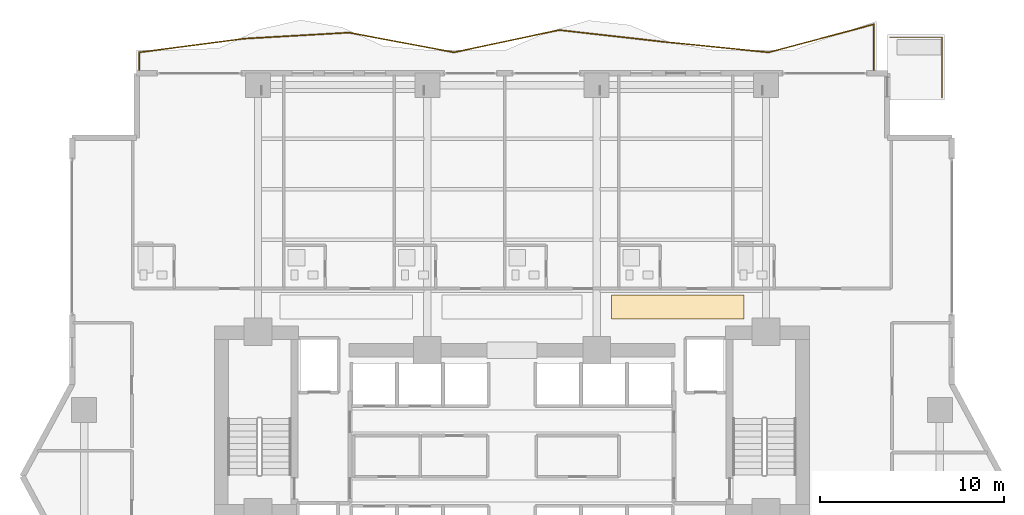
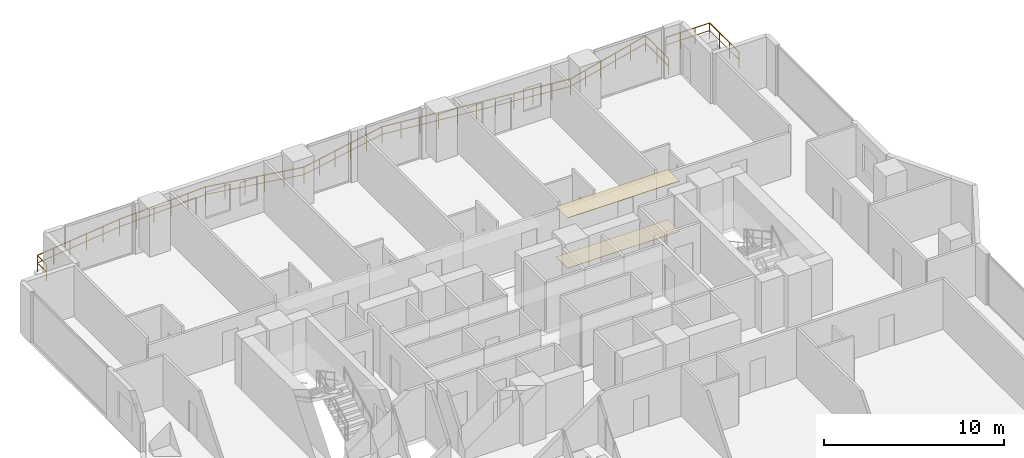
# One storey, part 28 of 29: 2 coverings, 2 railings.
"""IFC4 building model written with IfcOpenShell, lengths in metres."""

from ifc_helpers import new_model, si_unit, direction, frame, origin, origin_2d, place, context, subcontext, project, spatial, polyline, rectangle, outline, extrude, material, layer, layer_set, type_object, element, save


model = new_model("IFC4")

# Units and contexts
model_context = context("Model", 3, precision=1e-05, world=origin(), true_north=direction((0.0, 1.0)))
body_context = subcontext(model_context, "Body", "Model", "MODEL_VIEW")
ifc_project = project(units=[si_unit("LENGTHUNIT", "METRE"), si_unit("AREAUNIT", "SQUARE_METRE"), si_unit("VOLUMEUNIT", "CUBIC_METRE"), si_unit("PLANEANGLEUNIT", "RADIAN"), si_unit("MASSUNIT", "GRAM", prefix="KILO")], contexts=[model_context])

# Site, building, storey
site_placement = place(None, origin())
site = spatial("IfcSite", under=ifc_project, at=site_placement, CompositionType="ELEMENT")
building_placement = place(site_placement, origin())
building = spatial("IfcBuilding", under=site, at=building_placement, Name="Zuhayl Quay Hotel", CompositionType="ELEMENT")
storey_placement = place(building_placement, frame((0.0, 0.0, 95.64990234375)))
storey = spatial("IfcBuildingStorey", under=building, at=storey_placement, Name="L23", CompositionType="ELEMENT", Elevation=95.64990234375)

# Coverings
ifc_material_1 = material(Name="Acoustic Mineral-Fibre Gypsum Board")
ifc_layer_1 = layer(ifc_material_1, 0.02490234375, Name="Acoustic Mineral-Fibre Gypsum Board")
ifc_layer_set_1 = layer_set([ifc_layer_1], Name="Acoustic Mineral-Fibre Gypsum Board")
covering_type_1 = type_object("IfcCoveringType", Name="CV_CEIL_ACOUSTIC", PredefinedType="CEILING", material=ifc_layer_set_1)
covering_1_placement = place(storey_placement, frame((0.0, 0.0, 3.405029296875)))
element("IfcCovering", 1, at=covering_1_placement, inside=storey, type_object=covering_type_1, Name="L23 Guest Corridor Acoustic Ceiling CE", PredefinedType="CEILING", context=body_context, shape_type="SweptSolid", body=[
    extrude(outline(polyline([(5.39990234375, 15.050048828125), (12.60009765625, 15.050048828125), (12.60009765625, 16.35009765625), (5.39990234375, 16.35009765625), (5.39990234375, 15.050048828125)])), origin(), (0.0, 0.0, 1.0), 0.025146484375),
])
ifc_material_2 = material(Name="Polished Limestone Terrazzo", Category="masonry")
ifc_layer_2 = layer(ifc_material_2, 0.02001953125, Name="Polished Limestone Terrazzo", Category="masonry")
ifc_layer_set_2 = layer_set([ifc_layer_2], Name="Polished Limestone Terrazzo")
covering_type_2 = type_object("IfcCoveringType", Name="CV_FLOOR_TERRAZZO", PredefinedType="FLOORING", material=ifc_layer_set_2)
covering_2_placement = place(storey_placement, origin())
element("IfcCovering", 2, at=covering_2_placement, inside=storey, type_object=covering_type_2, Name="L23 Guest Corridor Terrazzo Runner CE", PredefinedType="FLOORING", context=body_context, shape_type="SweptSolid", body=[
    extrude(outline(polyline([(5.39990234375, 15.050048828125), (12.60009765625, 15.050048828125), (12.60009765625, 16.35009765625), (5.39990234375, 16.35009765625), (5.39990234375, 15.050048828125)])), origin(), (0.0, 0.0, 1.0), 0.02001953125),
])

# Railings
ifc_material_3 = material(Name="Anodised Aluminium and Laminated Glass", Category="aluminium")
railing_type = type_object("IfcRailingType", Name="RL_EXT_BAL_1100", PredefinedType="BALUSTRADE", material=ifc_material_3)
railing_1_placement = place(storey_placement, frame((-20.260009765625, 28.52001953125, 0.0)))
element("IfcRailing", 3, at=railing_1_placement, inside=storey, type_object=railing_type, Name="L23 Balcony and Terrace Guard GR_L23_BAL_N", PredefinedType="BALUSTRADE", context=body_context, shape_type="SweptSolid", body=[
    extrude(rectangle(XDim=0.048095703125, YDim=0.048095703125, at=origin_2d()), frame((0.0, 0.0, 1.09619140625), z_axis=(0.0, 1.0, 0.0), x_axis=(-1.0, 0.0, 0.0)), (0.0, 0.0, 1.0), 1.02001953125),
    extrude(rectangle(XDim=0.0361328125, YDim=0.0361328125, at=origin_2d()), frame((0.0, 0.0, 0.58251953125), z_axis=(0.0, 1.0, 0.0), x_axis=(-1.0, 0.0, 0.0)), (0.0, 0.0, 1.0), 1.02001953125),
    extrude(rectangle(XDim=0.048095703125, YDim=0.048095703125, at=origin_2d()), frame((0.0, 1.02001953125, 1.09619140625), z_axis=(0.991572219668, 0.129555135683, 0.0), x_axis=(-0.129555135683, 0.991572219668, 0.0)), (0.0, 0.0, 1.0), 5.75146484375),
    extrude(rectangle(XDim=0.0361328125, YDim=0.0361328125, at=origin_2d()), frame((0.0, 1.02001953125, 0.58251953125), z_axis=(0.991572219668, 0.129555135683, 0.0), x_axis=(-0.129555135683, 0.991572219668, 0.0)), (0.0, 0.0, 1.0), 5.75146484375),
    extrude(rectangle(XDim=0.048095703125, YDim=0.048095703125, at=origin_2d()), frame((5.702880859375, 1.76513671875, 1.09619140625), z_axis=(0.998351311996, 0.057399110065, 0.0), x_axis=(-0.057399110065, 0.998351311996, 0.0)), (0.0, 0.0, 1.0), 5.71240234375),
    extrude(rectangle(XDim=0.0361328125, YDim=0.0361328125, at=origin_2d()), frame((5.702880859375, 1.76513671875, 0.58251953125), z_axis=(0.998351311996, 0.057399110065, 0.0), x_axis=(-0.057399110065, 0.998351311996, 0.0)), (0.0, 0.0, 1.0), 5.71240234375),
    extrude(rectangle(XDim=0.048095703125, YDim=0.048095703125, at=origin_2d()), frame((11.40576171875, 2.093017578125, 1.09619140625), z_axis=(0.982756255839, -0.184905764134, 0.0), x_axis=(0.184905764134, 0.982756255839, 0.0)), (0.0, 0.0, 1.0), 5.802978515625),
    extrude(rectangle(XDim=0.0361328125, YDim=0.0361328125, at=origin_2d()), frame((11.40576171875, 2.093017578125, 0.58251953125), z_axis=(0.982756255839, -0.184905764134, 0.0), x_axis=(0.184905764134, 0.982756255839, 0.0)), (0.0, 0.0, 1.0), 5.802978515625),
    extrude(rectangle(XDim=0.048095703125, YDim=0.048095703125, at=origin_2d()), frame((17.108642578125, 1.02001953125, 1.09619140625), z_axis=(0.978122972514, 0.208027523757, 0.0), x_axis=(-0.208027523757, 0.978122972514, 0.0)), (0.0, 0.0, 1.0), 5.830322265625),
    extrude(rectangle(XDim=0.0361328125, YDim=0.0361328125, at=origin_2d()), frame((17.108642578125, 1.02001953125, 0.58251953125), z_axis=(0.978122972514, 0.208027523757, 0.0), x_axis=(-0.208027523757, 0.978122972514, 0.0)), (0.0, 0.0, 1.0), 5.830322265625),
    extrude(rectangle(XDim=0.048095703125, YDim=0.048095703125, at=origin_2d()), frame((22.8115234375, 2.23291015625, 1.09619140625), z_axis=(0.993735509913, -0.111757488957, 0.0), x_axis=(0.111757488957, 0.993735509913, 0.0)), (0.0, 0.0, 1.0), 5.73876953125),
    extrude(rectangle(XDim=0.0361328125, YDim=0.0361328125, at=origin_2d()), frame((22.8115234375, 2.23291015625, 0.58251953125), z_axis=(0.993735509913, -0.111757488957, 0.0), x_axis=(0.111757488957, 0.993735509913, 0.0)), (0.0, 0.0, 1.0), 5.73876953125),
    extrude(rectangle(XDim=0.048095703125, YDim=0.048095703125, at=origin_2d()), frame((28.514404296875, 1.591552734375, 1.09619140625), z_axis=(0.99501523415, -0.099723035497, 0.0), x_axis=(0.099723035497, 0.99501523415, 0.0)), (0.0, 0.0, 1.0), 5.731201171875),
    extrude(rectangle(XDim=0.0361328125, YDim=0.0361328125, at=origin_2d()), frame((28.514404296875, 1.591552734375, 0.58251953125), z_axis=(0.99501523415, -0.099723035497, 0.0), x_axis=(0.099723035497, 0.99501523415, 0.0)), (0.0, 0.0, 1.0), 5.731201171875),
    extrude(rectangle(XDim=0.048095703125, YDim=0.048095703125, at=origin_2d()), frame((34.217041015625, 1.02001953125, 1.09619140625), z_axis=(0.966111953128, 0.258123408514, 0.0), x_axis=(-0.258123408514, 0.966111953128, 0.0)), (0.0, 0.0, 1.0), 5.90283203125),
    extrude(rectangle(XDim=0.0361328125, YDim=0.0361328125, at=origin_2d()), frame((34.217041015625, 1.02001953125, 0.58251953125), z_axis=(0.966111953128, 0.258123408514, 0.0), x_axis=(-0.258123408514, 0.966111953128, 0.0)), (0.0, 0.0, 1.0), 5.90283203125),
    extrude(rectangle(XDim=0.048095703125, YDim=0.048095703125, at=origin_2d()), frame((39.919921875, 2.543701171875, 1.09619140625), z_axis=(0.0, -1.0, 0.0), x_axis=(1.0, 0.0, 0.0)), (0.0, 0.0, 1.0), 2.543701171875),
    extrude(rectangle(XDim=0.0361328125, YDim=0.0361328125, at=origin_2d()), frame((39.919921875, 2.543701171875, 0.58251953125), z_axis=(0.0, -1.0, 0.0), x_axis=(1.0, 0.0, 0.0)), (0.0, 0.0, 1.0), 2.543701171875),
    extrude(rectangle(XDim=0.0419921875, YDim=0.0419921875, at=origin_2d()), origin(), (0.0, 0.0, 1.0), 1.072021484375),
    extrude(rectangle(XDim=0.0419921875, YDim=0.0419921875, at=origin_2d()), frame((0.0, 1.02001953125, 0.0)), (0.0, 0.0, 1.0), 1.072021484375),
    extrude(rectangle(XDim=0.0419921875, YDim=0.0419921875, at=origin_2d()), frame((1.140625, 1.1689453125, 0.0)), (0.0, 0.0, 1.0), 1.072021484375),
    extrude(rectangle(XDim=0.0419921875, YDim=0.0419921875, at=origin_2d()), frame((2.28125, 1.318115234375, 0.0)), (0.0, 0.0, 1.0), 1.072021484375),
    extrude(rectangle(XDim=0.0419921875, YDim=0.0419921875, at=origin_2d()), frame((3.421630859375, 1.467041015625, 0.0)), (0.0, 0.0, 1.0), 1.072021484375),
    extrude(rectangle(XDim=0.0419921875, YDim=0.0419921875, at=origin_2d()), frame((4.562255859375, 1.6162109375, 0.0)), (0.0, 0.0, 1.0), 1.072021484375),
    extrude(rectangle(XDim=0.0419921875, YDim=0.0419921875, at=origin_2d()), frame((5.702880859375, 1.76513671875, 0.0)), (0.0, 0.0, 1.0), 1.072021484375),
    extrude(rectangle(XDim=0.0419921875, YDim=0.0419921875, at=origin_2d()), frame((6.843505859375, 1.830810546875, 0.0)), (0.0, 0.0, 1.0), 1.072021484375),
    extrude(rectangle(XDim=0.0419921875, YDim=0.0419921875, at=origin_2d()), frame((7.984130859375, 1.896240234375, 0.0)), (0.0, 0.0, 1.0), 1.072021484375),
    extrude(rectangle(XDim=0.0419921875, YDim=0.0419921875, at=origin_2d()), frame((9.12451171875, 1.9619140625, 0.0)), (0.0, 0.0, 1.0), 1.072021484375),
    extrude(rectangle(XDim=0.0419921875, YDim=0.0419921875, at=origin_2d()), frame((10.26513671875, 2.02734375, 0.0)), (0.0, 0.0, 1.0), 1.072021484375),
    extrude(rectangle(XDim=0.0419921875, YDim=0.0419921875, at=origin_2d()), frame((11.40576171875, 2.093017578125, 0.0)), (0.0, 0.0, 1.0), 1.072021484375),
    extrude(rectangle(XDim=0.0419921875, YDim=0.0419921875, at=origin_2d()), frame((12.54638671875, 1.87841796875, 0.0)), (0.0, 0.0, 1.0), 1.072021484375),
    extrude(rectangle(XDim=0.0419921875, YDim=0.0419921875, at=origin_2d()), frame((13.68701171875, 1.663818359375, 0.0)), (0.0, 0.0, 1.0), 1.072021484375),
    extrude(rectangle(XDim=0.0419921875, YDim=0.0419921875, at=origin_2d()), frame((14.827392578125, 1.44921875, 0.0)), (0.0, 0.0, 1.0), 1.072021484375),
    extrude(rectangle(XDim=0.0419921875, YDim=0.0419921875, at=origin_2d()), frame((15.968017578125, 1.234619140625, 0.0)), (0.0, 0.0, 1.0), 1.072021484375),
    extrude(rectangle(XDim=0.0419921875, YDim=0.0419921875, at=origin_2d()), frame((17.108642578125, 1.02001953125, 0.0)), (0.0, 0.0, 1.0), 1.072021484375),
    extrude(rectangle(XDim=0.0419921875, YDim=0.0419921875, at=origin_2d()), frame((18.249267578125, 1.2626953125, 0.0)), (0.0, 0.0, 1.0), 1.072021484375),
    extrude(rectangle(XDim=0.0419921875, YDim=0.0419921875, at=origin_2d()), frame((19.389892578125, 1.505126953125, 0.0)), (0.0, 0.0, 1.0), 1.072021484375),
    extrude(rectangle(XDim=0.0419921875, YDim=0.0419921875, at=origin_2d()), frame((20.5302734375, 1.747802734375, 0.0)), (0.0, 0.0, 1.0), 1.072021484375),
    extrude(rectangle(XDim=0.0419921875, YDim=0.0419921875, at=origin_2d()), frame((21.6708984375, 1.990234375, 0.0)), (0.0, 0.0, 1.0), 1.072021484375),
    extrude(rectangle(XDim=0.0419921875, YDim=0.0419921875, at=origin_2d()), frame((22.8115234375, 2.23291015625, 0.0)), (0.0, 0.0, 1.0), 1.072021484375),
    extrude(rectangle(XDim=0.0419921875, YDim=0.0419921875, at=origin_2d()), frame((23.9521484375, 2.104736328125, 0.0)), (0.0, 0.0, 1.0), 1.072021484375),
    extrude(rectangle(XDim=0.0419921875, YDim=0.0419921875, at=origin_2d()), frame((25.0927734375, 1.976318359375, 0.0)), (0.0, 0.0, 1.0), 1.072021484375),
    extrude(rectangle(XDim=0.0419921875, YDim=0.0419921875, at=origin_2d()), frame((26.233154296875, 1.84814453125, 0.0)), (0.0, 0.0, 1.0), 1.072021484375),
    extrude(rectangle(XDim=0.0419921875, YDim=0.0419921875, at=origin_2d()), frame((27.373779296875, 1.7197265625, 0.0)), (0.0, 0.0, 1.0), 1.072021484375),
    extrude(rectangle(XDim=0.0419921875, YDim=0.0419921875, at=origin_2d()), frame((28.514404296875, 1.591552734375, 0.0)), (0.0, 0.0, 1.0), 1.072021484375),
    extrude(rectangle(XDim=0.0419921875, YDim=0.0419921875, at=origin_2d()), frame((29.655029296875, 1.477294921875, 0.0)), (0.0, 0.0, 1.0), 1.072021484375),
    extrude(rectangle(XDim=0.0419921875, YDim=0.0419921875, at=origin_2d()), frame((30.79541015625, 1.363037109375, 0.0)), (0.0, 0.0, 1.0), 1.072021484375),
    extrude(rectangle(XDim=0.0419921875, YDim=0.0419921875, at=origin_2d()), frame((31.93603515625, 1.24853515625, 0.0)), (0.0, 0.0, 1.0), 1.072021484375),
    extrude(rectangle(XDim=0.0419921875, YDim=0.0419921875, at=origin_2d()), frame((33.076416015625, 1.13427734375, 0.0)), (0.0, 0.0, 1.0), 1.072021484375),
    extrude(rectangle(XDim=0.0419921875, YDim=0.0419921875, at=origin_2d()), frame((34.217041015625, 1.02001953125, 0.0)), (0.0, 0.0, 1.0), 1.072021484375),
    extrude(rectangle(XDim=0.0419921875, YDim=0.0419921875, at=origin_2d()), frame((35.357666015625, 1.32470703125, 0.0)), (0.0, 0.0, 1.0), 1.072021484375),
    extrude(rectangle(XDim=0.0419921875, YDim=0.0419921875, at=origin_2d()), frame((36.498291015625, 1.62939453125, 0.0)), (0.0, 0.0, 1.0), 1.072021484375),
    extrude(rectangle(XDim=0.0419921875, YDim=0.0419921875, at=origin_2d()), frame((37.638671875, 1.934326171875, 0.0)), (0.0, 0.0, 1.0), 1.072021484375),
    extrude(rectangle(XDim=0.0419921875, YDim=0.0419921875, at=origin_2d()), frame((38.779296875, 2.239013671875, 0.0)), (0.0, 0.0, 1.0), 1.072021484375),
    extrude(rectangle(XDim=0.0419921875, YDim=0.0419921875, at=origin_2d()), frame((39.919921875, 2.543701171875, 0.0)), (0.0, 0.0, 1.0), 1.072021484375),
    extrude(rectangle(XDim=0.0419921875, YDim=0.0419921875, at=origin_2d()), frame((39.919921875, 1.27197265625, 0.0)), (0.0, 0.0, 1.0), 1.072021484375),
    extrude(rectangle(XDim=0.0419921875, YDim=0.0419921875, at=origin_2d()), frame((39.919921875, 0.0, 0.0)), (0.0, 0.0, 1.0), 1.072021484375),
])
railing_2_placement = place(storey_placement, frame((23.360107421875, 27.090087890625, 0.0)))
element("IfcRailing", 4, at=railing_2_placement, inside=storey, type_object=railing_type, Name="L23 Balcony and Terrace Guard GR_L23_SPIRAL_NE", PredefinedType="BALUSTRADE", context=body_context, shape_type="SweptSolid", body=[
    extrude(rectangle(XDim=0.048095703125, YDim=0.048095703125, at=origin_2d()), frame((0.0, 0.0, 1.09619140625), z_axis=(0.0, 1.0, 0.0), x_axis=(-1.0, 0.0, 0.0)), (0.0, 0.0, 1.0), 3.27001953125),
    extrude(rectangle(XDim=0.0361328125, YDim=0.0361328125, at=origin_2d()), frame((0.0, 0.0, 0.58251953125), z_axis=(0.0, 1.0, 0.0), x_axis=(-1.0, 0.0, 0.0)), (0.0, 0.0, 1.0), 3.27001953125),
    extrude(rectangle(XDim=0.048095703125, YDim=0.048095703125, at=origin_2d()), frame((0.0, 3.27001953125, 1.09619140625), z_axis=(-1.0, 0.0, 0.0), x_axis=(0.0, -1.0, 0.0)), (0.0, 0.0, 1.0), 2.820068359375),
    extrude(rectangle(XDim=0.0361328125, YDim=0.0361328125, at=origin_2d()), frame((0.0, 3.27001953125, 0.58251953125), z_axis=(-1.0, 0.0, 0.0), x_axis=(0.0, -1.0, 0.0)), (0.0, 0.0, 1.0), 2.820068359375),
    extrude(rectangle(XDim=0.0419921875, YDim=0.0419921875, at=origin_2d()), origin(), (0.0, 0.0, 1.0), 1.072021484375),
    extrude(rectangle(XDim=0.0419921875, YDim=0.0419921875, at=origin_2d()), frame((0.0, 1.090087890625, 0.0)), (0.0, 0.0, 1.0), 1.072021484375),
    extrude(rectangle(XDim=0.0419921875, YDim=0.0419921875, at=origin_2d()), frame((0.0, 2.179931640625, 0.0)), (0.0, 0.0, 1.0), 1.072021484375),
    extrude(rectangle(XDim=0.0419921875, YDim=0.0419921875, at=origin_2d()), frame((0.0, 3.27001953125, 0.0)), (0.0, 0.0, 1.0), 1.072021484375),
    extrude(rectangle(XDim=0.0419921875, YDim=0.0419921875, at=origin_2d()), frame((-0.93994140625, 3.27001953125, 0.0)), (0.0, 0.0, 1.0), 1.072021484375),
    extrude(rectangle(XDim=0.0419921875, YDim=0.0419921875, at=origin_2d()), frame((-1.880126953125, 3.27001953125, 0.0)), (0.0, 0.0, 1.0), 1.072021484375),
    extrude(rectangle(XDim=0.0419921875, YDim=0.0419921875, at=origin_2d()), frame((-2.820068359375, 3.27001953125, 0.0)), (0.0, 0.0, 1.0), 1.072021484375),
])

save(model, "model.ifc")
